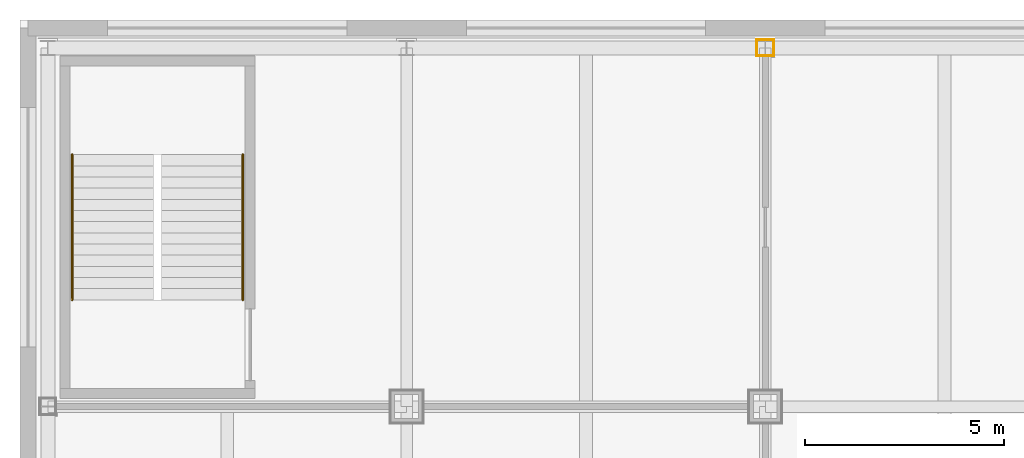
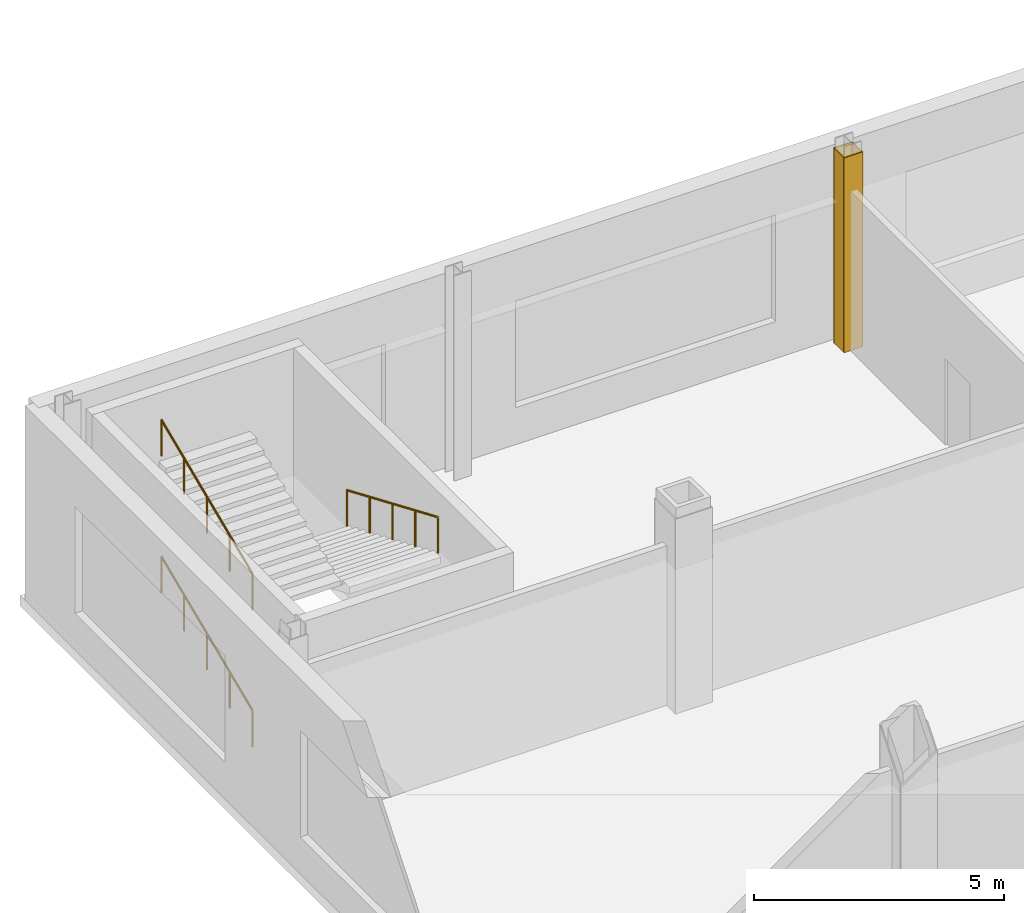
# One storey, part 30 of 31: 4 coverings, 3 railings.
"""IFC4 building model written with IfcOpenShell, lengths in metres."""

from ifc_helpers import new_model, si_unit, direction, frame, origin, origin_2d, place, context, subcontext, project, spatial, rectangle, circle, extrude, material, layer, layer_set, type_object, element, save


model = new_model("IFC4")

# Units and contexts
model_context = context("Model", 3, precision=1e-05, world=origin(), true_north=direction((0.0, 1.0)))
body_context = subcontext(model_context, "Body", "Model", "MODEL_VIEW")
ifc_project = project(units=[si_unit("LENGTHUNIT", "METRE"), si_unit("AREAUNIT", "SQUARE_METRE"), si_unit("VOLUMEUNIT", "CUBIC_METRE"), si_unit("PLANEANGLEUNIT", "RADIAN"), si_unit("MASSUNIT", "GRAM", prefix="KILO")], contexts=[model_context])

# Site, building, storey
site_placement = place(None, origin())
site = spatial("IfcSite", under=ifc_project, at=site_placement, CompositionType="ELEMENT")
building_placement = place(site_placement, origin())
building = spatial("IfcBuilding", under=site, at=building_placement, Name="Loomwork Tower", CompositionType="ELEMENT")
storey_placement = place(building_placement, frame((0.0, 0.0, 11.0)))
storey = spatial("IfcBuildingStorey", under=building, at=storey_placement, Name="L02", CompositionType="ELEMENT", Elevation=11.0)

# Coverings
ifc_material_1 = material(Name="Two-hour fire-rated gypsum board casing")
ifc_layer = layer(ifc_material_1, 0.02490234375)
ifc_layer_set = layer_set([ifc_layer], Name="Column fire casing 25")
covering_type = type_object("IfcCoveringType", Name="Column fire casing 25", PredefinedType="CLADDING", material=ifc_layer_set)
for number, where, z_axis, x_axis, name in (
    (1, (9.0, 45.200439453125, 0.0), (0.0, 0.0, 1.0), (1.0, 0.0, 0.0), "Column casing 9 45 L02"),
    (2, (9.0, 44.799560546875, 0.0), (0.0, 0.0, 1.0), (1.0, 0.0, 0.0), "Column casing 9 45 L02"),
):
    element("IfcCovering", number, at=place(storey_placement, frame(where, z_axis=z_axis, x_axis=x_axis)), inside=storey, type_object=covering_type, Name=name, PredefinedType="CLADDING", context=body_context, shape_type="SweptSolid", body=[
        extrude(rectangle(XDim=0.443603515625, YDim=0.02490234375, at=origin_2d()), origin(), (0.0, 0.0, 1.0), 4.75),
    ])
for number, where, z_axis, x_axis, name in (
    (3, (9.209228515625, 45.0, 0.0), (0.0, 0.0, 1.0), (1.0, 0.0, 0.0), "Column casing 9 45 L02"),
    (4, (8.790771484375, 45.0, 0.0), (0.0, 0.0, 1.0), (1.0, 0.0, 0.0), "Column casing 9 45 L02"),
):
    element("IfcCovering", number, at=place(storey_placement, frame(where, z_axis=z_axis, x_axis=x_axis)), inside=storey, type_object=covering_type, Name=name, PredefinedType="CLADDING", context=body_context, shape_type="SweptSolid", body=[
        extrude(rectangle(XDim=0.02490234375, YDim=0.3759765625, at=origin_2d()), origin(), (0.0, 0.0, 1.0), 4.75),
    ])

# Railings
ifc_material_2 = material(Name="Stainless steel handrail", Category="steel")
railing_type = type_object("IfcRailingType", Name="Handrail 900", PredefinedType="HANDRAIL", material=ifc_material_2)
railing_1_placement = place(storey_placement, frame((-8.389892578125, 38.679931640625, 0.118896484375)))
element("IfcRailing", 5, at=railing_1_placement, inside=storey, type_object=railing_type, Name="Podium stair PS3 handrail flight 1 L02", PredefinedType="HANDRAIL", context=body_context, shape_type="SweptSolid", body=[
    extrude(circle(Radius=0.02392578125, at=origin_2d()), frame((0.0, 0.0, 0.8759765625), z_axis=(0.0, 0.920258693564, 0.391310537706), x_axis=(-1.0, 0.0, 0.0)), (0.0, 0.0, 1.0), 3.95556640625),
    extrude(circle(Radius=0.02099609375, at=origin_2d()), origin(), (0.0, 0.0, 1.0), 0.851806640625),
    extrude(circle(Radius=0.02099609375, at=origin_2d()), frame((0.0, 0.91015625, 0.386962890625)), (0.0, 0.0, 1.0), 0.851806640625),
    extrude(circle(Radius=0.02099609375, at=origin_2d()), frame((0.0, 1.820068359375, 0.77392578125)), (0.0, 0.0, 1.0), 0.851806640625),
    extrude(circle(Radius=0.02099609375, at=origin_2d()), frame((0.0, 2.72998046875, 1.160888671875)), (0.0, 0.0, 1.0), 0.851806640625),
    extrude(circle(Radius=0.02099609375, at=origin_2d()), frame((0.0, 3.64013671875, 1.5478515625)), (0.0, 0.0, 1.0), 0.851806640625),
])
railing_2_placement = place(storey_placement, frame((-4.110107421875, 42.320068359375, 1.78564453125)))
element("IfcRailing", 6, at=railing_2_placement, inside=storey, type_object=railing_type, Name="Podium stair PS3 handrail flight 2 L02", PredefinedType="HANDRAIL", context=body_context, shape_type="SweptSolid", body=[
    extrude(circle(Radius=0.02392578125, at=origin_2d()), frame((0.0, 0.0, 0.8759765625), z_axis=(0.0, -0.920258693564, 0.391310537706), x_axis=(1.0, 0.0, 0.0)), (0.0, 0.0, 1.0), 3.95556640625),
    extrude(circle(Radius=0.02099609375, at=origin_2d()), origin(), (0.0, 0.0, 1.0), 0.851806640625),
    extrude(circle(Radius=0.02099609375, at=origin_2d()), frame((0.0, -0.91015625, 0.386962890625)), (0.0, 0.0, 1.0), 0.851806640625),
    extrude(circle(Radius=0.02099609375, at=origin_2d()), frame((0.0, -1.820068359375, 0.77392578125)), (0.0, 0.0, 1.0), 0.851806640625),
    extrude(circle(Radius=0.02099609375, at=origin_2d()), frame((0.0, -2.72998046875, 1.160888671875)), (0.0, 0.0, 1.0), 0.851806640625),
    extrude(circle(Radius=0.02099609375, at=origin_2d()), frame((0.0, -3.64013671875, 1.5478515625)), (0.0, 0.0, 1.0), 0.851806640625),
])
railing_3_placement = place(storey_placement, frame((-8.389892578125, 38.679931640625, 3.452392578125)))
element("IfcRailing", 7, at=railing_3_placement, inside=storey, type_object=railing_type, Name="Podium stair PS3 handrail flight 3 L02", PredefinedType="HANDRAIL", context=body_context, shape_type="SweptSolid", body=[
    extrude(circle(Radius=0.02392578125, at=origin_2d()), frame((0.0, 0.0, 0.8759765625), z_axis=(0.0, 0.920280918742, 0.391258265855), x_axis=(-1.0, 0.0, 0.0)), (0.0, 0.0, 1.0), 3.95556640625),
    extrude(circle(Radius=0.02099609375, at=origin_2d()), origin(), (0.0, 0.0, 1.0), 0.851806640625),
    extrude(circle(Radius=0.02099609375, at=origin_2d()), frame((0.0, 0.91015625, 0.386962890625)), (0.0, 0.0, 1.0), 0.851806640625),
    extrude(circle(Radius=0.02099609375, at=origin_2d()), frame((0.0, 1.820068359375, 0.77392578125)), (0.0, 0.0, 1.0), 0.851806640625),
    extrude(circle(Radius=0.02099609375, at=origin_2d()), frame((0.0, 2.72998046875, 1.16064453125)), (0.0, 0.0, 1.0), 0.851806640625),
    extrude(circle(Radius=0.02099609375, at=origin_2d()), frame((0.0, 3.64013671875, 1.547607421875)), (0.0, 0.0, 1.0), 0.851806640625),
])

save(model, "model.ifc")
